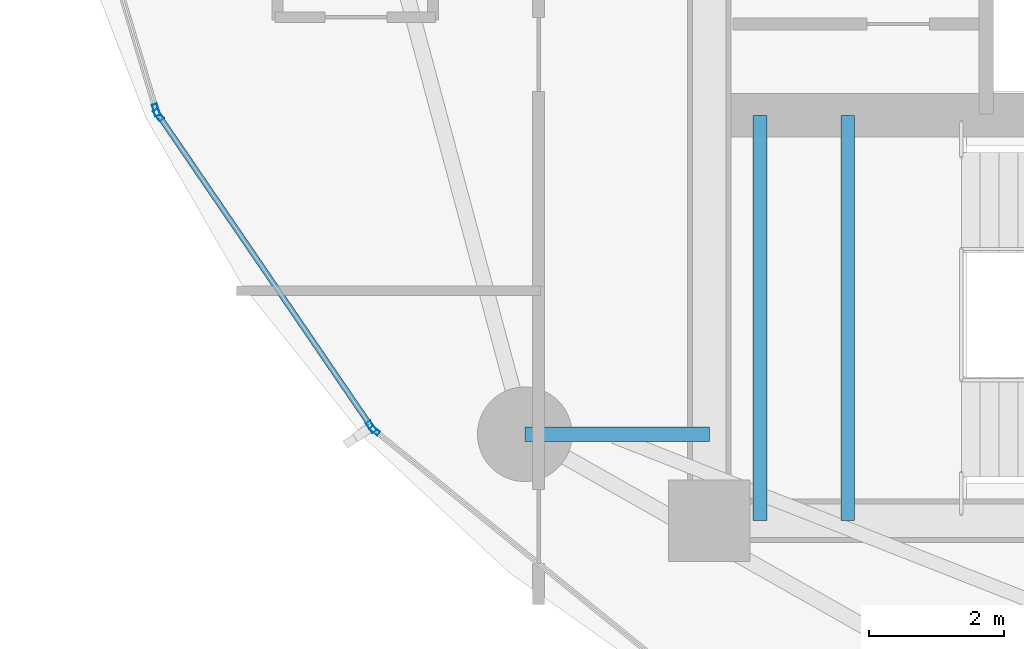
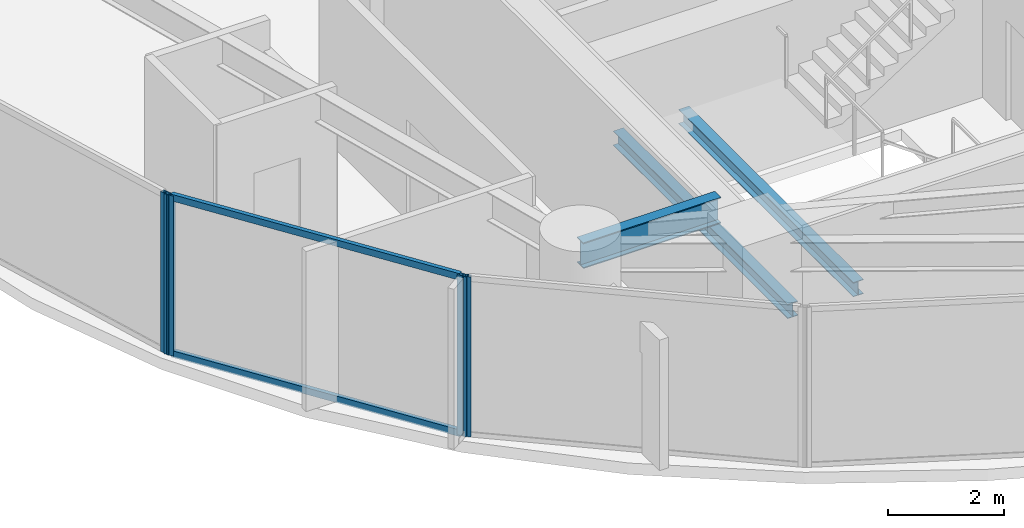
# One storey, part 3 of 32: 6 members, 3 beams, 3 elements without a shape of their own.
"""IFC4 building model written with IfcOpenShell, lengths in metres."""

from ifc_helpers import new_model, si_unit, direction, frame, origin, origin_2d, place, context, subcontext, project, spatial, hollow_rectangle, i_section, extrude, material, layer, layer_set, material_profile, profile_set, type_object, element, aggregate, save


model = new_model("IFC4")

# Units and contexts
model_context = context("Model", 3, precision=1e-05, world=origin(), true_north=direction((0.0, 1.0)))
body_context = subcontext(model_context, "Body", "Model", "MODEL_VIEW")
ifc_project = project(units=[si_unit("LENGTHUNIT", "METRE"), si_unit("AREAUNIT", "SQUARE_METRE"), si_unit("VOLUMEUNIT", "CUBIC_METRE"), si_unit("PLANEANGLEUNIT", "RADIAN"), si_unit("MASSUNIT", "GRAM", prefix="KILO")], contexts=[model_context])

# Site, building, storey
site_placement = place(None, origin())
site = spatial("IfcSite", under=ifc_project, at=site_placement, CompositionType="ELEMENT")
building_placement = place(site_placement, origin())
building = spatial("IfcBuilding", under=site, at=building_placement, Name="Kazevale Care Tower and Concert Hall", CompositionType="ELEMENT")
storey_placement = place(building_placement, frame((0.0, 0.0, 85.199951171875)))
storey = spatial("IfcBuildingStorey", under=building, at=storey_placement, Name="L22", CompositionType="ELEMENT", Elevation=85.199951171875)

# Curtain wall, members
ifc_material_1 = material(Name="Aluminium 6063-T6 and Low-E Glass", Category="aluminium")
ifc_layer_1 = layer(ifc_material_1, 0.179931640625)
ifc_layer_set_1 = layer_set([ifc_layer_1], Name="Aluminium 6063-T6 and Low-E Glass")
curtain_wall_type_1 = type_object("IfcCurtainWallType", Name="Waist & Upper Residential Curtain Wall CW-4", PredefinedType="NOTDEFINED", material=ifc_layer_set_1)
curtain_wall_1_placement = place(storey_placement, origin())
curtain_wall_1 = element("IfcCurtainWall", 1, at=curtain_wall_1_placement, inside=storey, type_object=curtain_wall_type_1, Name="cw:L22:f11", PredefinedType="NOTDEFINED")
ifc_material_2 = material(Name="Aluminium 6063-T6", Category="aluminium")
ifc_material_profile_1 = material_profile(ifc_material_2, hollow_rectangle(XDim=0.080078125, YDim=0.179931640625, WallThickness=0.0048828125, at=origin_2d()), Name="ALU80x180x5")
ifc_profile_set_1 = profile_set([ifc_material_profile_1], Name="Aluminium 6063-T6")
member_type_1 = type_object("IfcMemberType", Name="CW-4 Mullion ALU80x180x5", PredefinedType="MULLION", material=ifc_profile_set_1)
member_1_placement = place(storey_placement, frame((16.99853515625, 24.989990234375, 0.0), z_axis=(0.0, 0.0, 1.0), x_axis=(-0.826003329789, -0.563665236801, 0.0)))
member_1 = element("IfcMember", 2, at=member_1_placement, type_object=member_type_1, Name="CW-4 mullion 1", PredefinedType="MULLION", context=body_context, shape_type="SweptSolid", body=[
    extrude(hollow_rectangle(XDim=0.080078125, YDim=0.179931640625, WallThickness=0.0048828125, at=origin_2d()), origin(), (0.0, 0.0, 1.0), 3.360107421875),
])
member_2_placement = place(storey_placement, frame((13.8486328125, 29.60595703125, 0.0), z_axis=(0.0, 0.0, 1.0), x_axis=(-0.826003329789, -0.563665236801, 0.0)))
member_2 = element("IfcMember", 3, at=member_2_placement, type_object=member_type_1, Name="CW-4 mullion 2", PredefinedType="MULLION", context=body_context, shape_type="SweptSolid", body=[
    extrude(hollow_rectangle(XDim=0.080078125, YDim=0.179931640625, WallThickness=0.0048828125, at=origin_2d()), origin(), (0.0, 0.0, 1.0), 3.360107421875),
])

# Curtain wall, member
curtain_wall_2_placement = place(storey_placement, origin())
curtain_wall_2 = element("IfcCurtainWall", 4, at=curtain_wall_2_placement, inside=storey, type_object=curtain_wall_type_1, Name="cw:L22:f12", PredefinedType="NOTDEFINED")
member_3_placement = place(storey_placement, frame((13.814453125, 29.67724609375, 0.0), z_axis=(0.0, 0.0, 1.0), x_axis=(-0.957661755703, -0.287895747909, 0.0)))
member_3 = element("IfcMember", 5, at=member_3_placement, type_object=member_type_1, Name="CW-4 mullion 1", PredefinedType="MULLION", context=body_context, shape_type="SweptSolid", body=[
    extrude(hollow_rectangle(XDim=0.080078125, YDim=0.179931640625, WallThickness=0.0048828125, at=origin_2d()), origin(), (0.0, 0.0, 1.0), 3.360107421875),
])
aggregate(curtain_wall_2, [member_3])

# Member
ifc_material_profile_2 = material_profile(ifc_material_2, hollow_rectangle(XDim=0.080078125, YDim=0.139892578125, WallThickness=0.00390625, at=origin_2d()), Name="ALU80x140x4")
ifc_profile_set_2 = profile_set([ifc_material_profile_2], Name="Aluminium 6063-T6")
member_type_2 = type_object("IfcMemberType", Name="CW-4 Transom ALU80x140x4", PredefinedType="USERDEFINED", material=ifc_profile_set_2)
member_4_placement = place(storey_placement, frame((16.975830078125, 25.023193359375, 0.0400390625), z_axis=(-0.56365860987, 0.826007851972, 0.0), x_axis=(-0.826007851972, -0.56365860987, 0.0)))
member_4 = element("IfcMember", 6, at=member_4_placement, type_object=member_type_2, Name="CW-4 transom 1.1", ObjectType="TRANSOM", PredefinedType="USERDEFINED", context=body_context, shape_type="SweptSolid", body=[
    extrude(hollow_rectangle(XDim=0.080078125, YDim=0.139892578125, WallThickness=0.00390625, at=origin_2d()), origin(), (0.0, 0.0, 1.0), 5.50830078125),
])

member_5_placement = place(storey_placement, frame((16.975830078125, 25.023193359375, 3.320068359375), z_axis=(-0.56365860987, 0.826007851972, 0.0), x_axis=(-0.826007851972, -0.56365860987, 0.0)))
member_5 = element("IfcMember", 7, at=member_5_placement, type_object=member_type_2, Name="CW-4 transom 1.2", ObjectType="TRANSOM", PredefinedType="USERDEFINED", context=body_context, shape_type="SweptSolid", body=[
    extrude(hollow_rectangle(XDim=0.080078125, YDim=0.139892578125, WallThickness=0.00390625, at=origin_2d()), origin(), (0.0, 0.0, 1.0), 5.50830078125),
])

aggregate(curtain_wall_1, [member_1, member_2, member_4, member_5])

# Curtain wall, member
ifc_layer_2 = layer(ifc_material_1, 0.179931640625)
ifc_layer_set_2 = layer_set([ifc_layer_2], Name="Aluminium 6063-T6 and Low-E Glass")
curtain_wall_type_2 = type_object("IfcCurtainWallType", Name="Sheltered Concave Balcony Curtain Wall CW-5", PredefinedType="NOTDEFINED", material=ifc_layer_set_2)
curtain_wall_3_placement = place(storey_placement, origin())
curtain_wall_3 = element("IfcCurtainWall", 8, at=curtain_wall_3_placement, inside=storey, type_object=curtain_wall_type_2, Name="cw:L22:f10", PredefinedType="NOTDEFINED")
ifc_material_profile_3 = material_profile(ifc_material_2, hollow_rectangle(XDim=0.074951171875, YDim=0.14990234375, WallThickness=0.00390625, at=origin_2d()), Name="ALU75x150x4")
ifc_profile_set_3 = profile_set([ifc_material_profile_3], Name="Aluminium 6063-T6")
member_type_3 = type_object("IfcMemberType", Name="CW-5 Mullion ALU75x150x4", PredefinedType="MULLION", material=ifc_profile_set_3)
member_6_placement = place(storey_placement, frame((17.050048828125, 24.933349609375, 0.0), z_axis=(0.0, 0.0, 1.0), x_axis=(-0.629994732952, -0.77659940539, 0.0)))
member_6 = element("IfcMember", 9, at=member_6_placement, type_object=member_type_3, Name="CW-5 mullion 2", PredefinedType="MULLION", context=body_context, shape_type="SweptSolid", body=[
    extrude(hollow_rectangle(XDim=0.074951171875, YDim=0.14990234375, WallThickness=0.00390625, at=origin_2d()), origin(), (0.0, 0.0, 1.0), 3.360107421875),
])
aggregate(curtain_wall_3, [member_6])

# Beams
ifc_material_3 = material(Name="Steel ASTM A572 Gr 50", Category="steel")
ifc_material_profile_4 = material_profile(ifc_material_3, i_section(OverallWidth=0.2119140625, OverallDepth=0.5439453125, WebThickness=0.01318359375, FlangeThickness=0.021240234375, at=origin_2d()), Name="W530x123")
ifc_profile_set_4 = profile_set([ifc_material_profile_4], Name="Steel ASTM A572 Gr 50")
beam_type_1 = type_object("IfcBeamType", Name="Radial Floor Girder W530x123", PredefinedType="BEAM", material=ifc_profile_set_4)
beam_placement = place(storey_placement, frame((22.0, 24.8798828125, 3.088134765625), z_axis=(-1.0, 0.0, 0.0), x_axis=(0.0, -1.0, 0.0)))
element("IfcBeam", 10, at=beam_placement, inside=storey, type_object=beam_type_1, Name="beam:L22:rad:10", PredefinedType="BEAM", context=body_context, shape_type="SweptSolid", body=[
    extrude(i_section(OverallWidth=0.2119140625, OverallDepth=0.5439453125, WebThickness=0.01318359375, FlangeThickness=0.021240234375, at=origin_2d()), origin(), (0.0, 0.0, 1.0), 2.72998046875),
])
ifc_material_profile_5 = material_profile(ifc_material_3, i_section(OverallWidth=0.202880859375, OverallDepth=0.302978515625, WebThickness=0.007568359375, FlangeThickness=0.01318359375, at=origin_2d()), Name="W310x60")
ifc_profile_set_5 = profile_set([ifc_material_profile_5], Name="Steel ASTM A572 Gr 50")
beam_type_2 = type_object("IfcBeamType", Name="Stair & Balcony Trimmer W310x60", PredefinedType="BEAM", material=ifc_profile_set_5)
for number, where, z_axis, x_axis, name in (
    (11, (22.75, 23.60009765625, 1.448486328125), (0.0, 1.0, 0.0), (-1.0, 0.0, 0.0), "beam:L22:sttrim:ST1"),
    (12, (24.050048828125, 23.60009765625, 1.448486328125), (0.0, 1.0, 0.0), (-1.0, 0.0, 0.0), "beam:L22:sttrim:ST1b"),
):
    element("IfcBeam", number, at=place(storey_placement, frame(where, z_axis=z_axis, x_axis=x_axis)), inside=storey, type_object=beam_type_2, Name=name, PredefinedType="BEAM", context=body_context, shape_type="SweptSolid", body=[
        extrude(i_section(OverallWidth=0.202880859375, OverallDepth=0.302978515625, WebThickness=0.007568359375, FlangeThickness=0.01318359375, at=origin_2d()), origin(), (0.0, 0.0, 1.0), 6.0),
    ])

save(model, "model.ifc")
